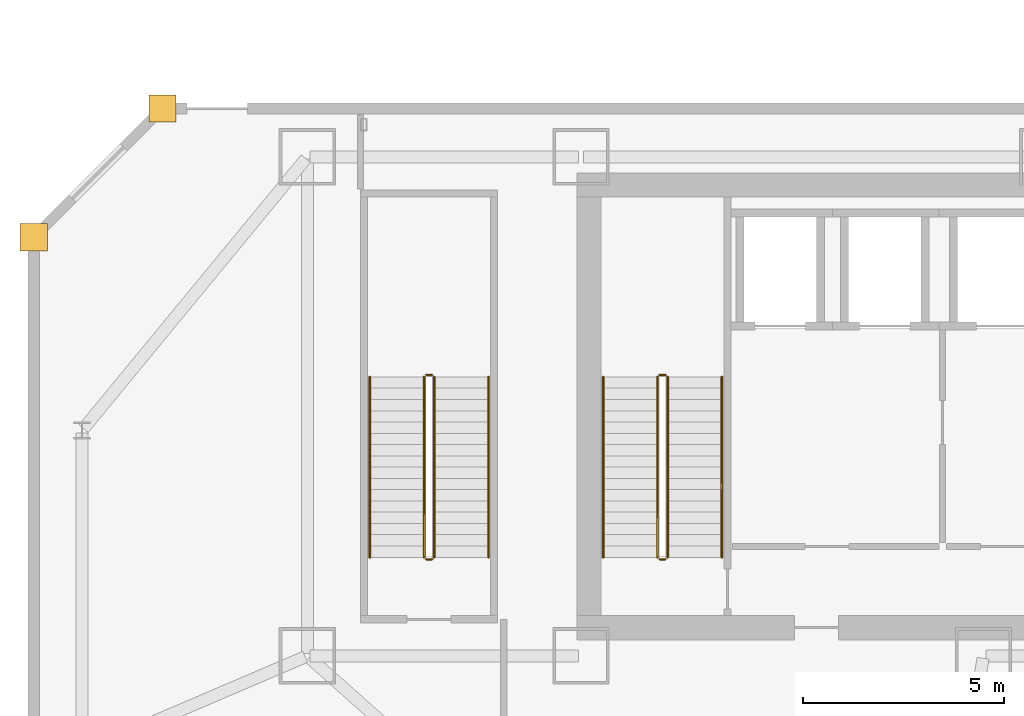
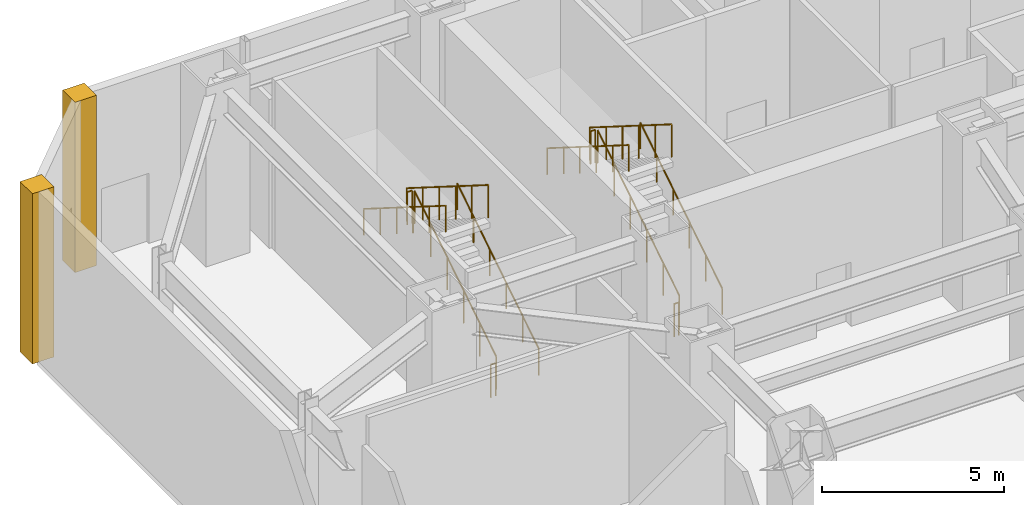
# One storey, part 18 of 23: 12 railings, 2 coverings.
"""IFC4 building model written with IfcOpenShell, lengths in metres."""

from ifc_helpers import new_model, si_unit, direction, frame, origin, origin_2d, place, context, subcontext, project, spatial, polyline, circle, outline, extrude, material, layer, layer_set, type_object, element, save


model = new_model("IFC4")

# Units and contexts
model_context = context("Model", 3, precision=1e-05, world=origin(), true_north=direction((0.0, 1.0)))
body_context = subcontext(model_context, "Body", "Model", "MODEL_VIEW")
ifc_project = project(units=[si_unit("LENGTHUNIT", "METRE"), si_unit("AREAUNIT", "SQUARE_METRE"), si_unit("VOLUMEUNIT", "CUBIC_METRE"), si_unit("PLANEANGLEUNIT", "RADIAN"), si_unit("MASSUNIT", "GRAM", prefix="KILO")], contexts=[model_context])

# Site, building, storey
site_placement = place(None, origin())
site = spatial("IfcSite", under=ifc_project, at=site_placement, CompositionType="ELEMENT")
building_placement = place(site_placement, origin())
building = spatial("IfcBuilding", under=site, at=building_placement, Name="Saevonmaru Cultural Tower", CompositionType="ELEMENT")
storey_placement = place(building_placement, origin())
storey = spatial("IfcBuildingStorey", under=building, at=storey_placement, Name="L00", CompositionType="ELEMENT", Elevation=0.0)

# Coverings
ifc_material_1 = material(Name="Satin Bronze Anodised Aluminium", Category="aluminium")
ifc_layer = layer(ifc_material_1, 0.679931640625, Name="Satin Bronze Anodised Aluminium")
ifc_layer_set = layer_set([ifc_layer], Name="Satin Bronze Anodised Aluminium")
covering_type = type_object("IfcCoveringType", Name="CV-CORNER-CLAD", PredefinedType="CLADDING", material=ifc_layer_set)
covering_1_placement = place(storey_placement, origin())
element("IfcCovering", 1, at=covering_1_placement, inside=storey, type_object=covering_type, Name="L00 Podium Bronze Corner Cladding Pier 7", PredefinedType="CLADDING", context=body_context, shape_type="SweptSolid", body=[
    extrude(outline(polyline([(2.860107421875, 55.659912109375), (3.5400390625, 55.659912109375), (3.5400390625, 56.340087890625), (2.860107421875, 56.340087890625), (2.860107421875, 55.659912109375)])), origin(), (0.0, 0.0, 1.0), 5.699951171875),
])
covering_2_placement = place(storey_placement, origin())
element("IfcCovering", 2, at=covering_2_placement, inside=storey, type_object=covering_type, Name="L00 Podium Bronze Corner Cladding Pier 8", PredefinedType="CLADDING", context=body_context, shape_type="SweptSolid", body=[
    extrude(outline(polyline([(-0.340087890625, 52.4599609375), (0.340087890625, 52.4599609375), (0.340087890625, 53.139892578125), (-0.340087890625, 53.139892578125), (-0.340087890625, 52.4599609375)])), origin(), (0.0, 0.0, 1.0), 5.699951171875),
])

# Railings
ifc_material_2 = material(Name="Architectural Painted Steel", Category="steel")
railing_type_1 = type_object("IfcRailingType", Name="RL-STAIR-GUARD", PredefinedType="GUARDRAIL", material=ifc_material_2)
railing_1_placement = place(storey_placement, frame((15.75, 44.85009765625, 0.176513671875)))
element("IfcRailing", 3, at=railing_1_placement, inside=storey, type_object=railing_type_1, Name="L00 ST-1 stair guard 1", PredefinedType="GUARDRAIL", context=body_context, shape_type="SweptSolid", body=[
    extrude(circle(Radius=0.02392578125, at=origin_2d()), frame((0.0, 0.0, 1.09619140625), z_axis=(0.0, 0.845997938375, 0.533186166611), x_axis=(-1.0, 0.0, 0.0)), (0.0, 0.0, 1.0), 5.29541015625),
    extrude(circle(Radius=0.02099609375, at=origin_2d()), origin(), (0.0, 0.0, 1.0), 1.072021484375),
    extrude(circle(Radius=0.02099609375, at=origin_2d()), frame((0.0, 0.89599609375, 0.564697265625)), (0.0, 0.0, 1.0), 1.072021484375),
    extrude(circle(Radius=0.02099609375, at=origin_2d()), frame((0.0, 1.7919921875, 1.12939453125)), (0.0, 0.0, 1.0), 1.072021484375),
    extrude(circle(Radius=0.02099609375, at=origin_2d()), frame((0.0, 2.68798828125, 1.694091796875)), (0.0, 0.0, 1.0), 1.072021484375),
    extrude(circle(Radius=0.02099609375, at=origin_2d()), frame((0.0, 3.583984375, 2.2587890625)), (0.0, 0.0, 1.0), 1.072021484375),
    extrude(circle(Radius=0.02099609375, at=origin_2d()), frame((0.0, 4.47998046875, 2.823486328125)), (0.0, 0.0, 1.0), 1.072021484375),
])
railing_2_placement = place(storey_placement, frame((15.699951171875, 49.3798828125, 3.0)))
element("IfcRailing", 4, at=railing_2_placement, inside=storey, type_object=railing_type_1, Name="L00 ST-1 stair guard 2", PredefinedType="GUARDRAIL", context=body_context, shape_type="SweptSolid", body=[
    extrude(circle(Radius=0.02392578125, at=origin_2d()), frame((0.0, 0.0, 1.09619140625), z_axis=(-1.0, 0.0, 0.0), x_axis=(0.0, -1.0, 0.0)), (0.0, 0.0, 1.0), 0.14990234375),
    extrude(circle(Radius=0.02099609375, at=origin_2d()), origin(), (0.0, 0.0, 1.0), 1.072021484375),
    extrude(circle(Radius=0.02099609375, at=origin_2d()), frame((-0.14990234375, 0.0, 0.0)), (0.0, 0.0, 1.0), 1.072021484375),
])
railing_3_placement = place(storey_placement, frame((15.5, 49.330078125, 3.176513671875)))
element("IfcRailing", 5, at=railing_3_placement, inside=storey, type_object=railing_type_1, Name="L00 ST-1 stair guard 3", PredefinedType="GUARDRAIL", context=body_context, shape_type="SweptSolid", body=[
    extrude(circle(Radius=0.02392578125, at=origin_2d()), frame((0.0, 0.0, 1.09619140625), z_axis=(0.0, -0.845997938375, 0.533186166611), x_axis=(1.0, 0.0, 0.0)), (0.0, 0.0, 1.0), 5.29541015625),
    extrude(circle(Radius=0.02099609375, at=origin_2d()), origin(), (0.0, 0.0, 1.0), 1.072021484375),
    extrude(circle(Radius=0.02099609375, at=origin_2d()), frame((0.0, -0.89599609375, 0.564697265625)), (0.0, 0.0, 1.0), 1.072021484375),
    extrude(circle(Radius=0.02099609375, at=origin_2d()), frame((0.0, -1.7919921875, 1.12939453125)), (0.0, 0.0, 1.0), 1.072021484375),
    extrude(circle(Radius=0.02099609375, at=origin_2d()), frame((0.0, -2.68798828125, 1.694091796875)), (0.0, 0.0, 1.0), 1.072021484375),
    extrude(circle(Radius=0.02099609375, at=origin_2d()), frame((0.0, -3.583984375, 2.2587890625)), (0.0, 0.0, 1.0), 1.072021484375),
    extrude(circle(Radius=0.02099609375, at=origin_2d()), frame((0.0, -4.47998046875, 2.823486328125)), (0.0, 0.0, 1.0), 1.072021484375),
])
railing_4_placement = place(storey_placement, frame((15.699951171875, 44.800048828125, 0.0)))
element("IfcRailing", 6, at=railing_4_placement, inside=storey, type_object=railing_type_1, Name="L00 ST-1 stair guard 4", PredefinedType="GUARDRAIL", context=body_context, shape_type="SweptSolid", body=[
    extrude(circle(Radius=0.02392578125, at=origin_2d()), frame((0.0, 0.0, 1.09619140625), z_axis=(-1.0, 0.0, 0.0), x_axis=(0.0, -1.0, 0.0)), (0.0, 0.0, 1.0), 0.14990234375),
    extrude(circle(Radius=0.02099609375, at=origin_2d()), origin(), (0.0, 0.0, 1.0), 1.072021484375),
    extrude(circle(Radius=0.02099609375, at=origin_2d()), frame((-0.14990234375, 0.0, 0.0)), (0.0, 0.0, 1.0), 1.072021484375),
])
railing_5_placement = place(storey_placement, frame((9.949951171875, 44.85009765625, 0.176513671875)))
element("IfcRailing", 7, at=railing_5_placement, inside=storey, type_object=railing_type_1, Name="L00 ST-3 stair guard 1", PredefinedType="GUARDRAIL", context=body_context, shape_type="SweptSolid", body=[
    extrude(circle(Radius=0.02392578125, at=origin_2d()), frame((0.0, 0.0, 1.09619140625), z_axis=(0.0, 0.845997938375, 0.533186166611), x_axis=(-1.0, 0.0, 0.0)), (0.0, 0.0, 1.0), 5.29541015625),
    extrude(circle(Radius=0.02099609375, at=origin_2d()), origin(), (0.0, 0.0, 1.0), 1.072021484375),
    extrude(circle(Radius=0.02099609375, at=origin_2d()), frame((0.0, 0.89599609375, 0.564697265625)), (0.0, 0.0, 1.0), 1.072021484375),
    extrude(circle(Radius=0.02099609375, at=origin_2d()), frame((0.0, 1.7919921875, 1.12939453125)), (0.0, 0.0, 1.0), 1.072021484375),
    extrude(circle(Radius=0.02099609375, at=origin_2d()), frame((0.0, 2.68798828125, 1.694091796875)), (0.0, 0.0, 1.0), 1.072021484375),
    extrude(circle(Radius=0.02099609375, at=origin_2d()), frame((0.0, 3.583984375, 2.2587890625)), (0.0, 0.0, 1.0), 1.072021484375),
    extrude(circle(Radius=0.02099609375, at=origin_2d()), frame((0.0, 4.47998046875, 2.823486328125)), (0.0, 0.0, 1.0), 1.072021484375),
])
railing_6_placement = place(storey_placement, frame((9.89990234375, 49.3798828125, 3.0)))
element("IfcRailing", 8, at=railing_6_placement, inside=storey, type_object=railing_type_1, Name="L00 ST-3 stair guard 2", PredefinedType="GUARDRAIL", context=body_context, shape_type="SweptSolid", body=[
    extrude(circle(Radius=0.02392578125, at=origin_2d()), frame((0.0, 0.0, 1.09619140625), z_axis=(-1.0, 0.0, 0.0), x_axis=(0.0, -1.0, 0.0)), (0.0, 0.0, 1.0), 0.14990234375),
    extrude(circle(Radius=0.02099609375, at=origin_2d()), origin(), (0.0, 0.0, 1.0), 1.072021484375),
    extrude(circle(Radius=0.02099609375, at=origin_2d()), frame((-0.14990234375, 0.0, 0.0)), (0.0, 0.0, 1.0), 1.072021484375),
])
railing_7_placement = place(storey_placement, frame((9.699951171875, 49.330078125, 3.176513671875)))
element("IfcRailing", 9, at=railing_7_placement, inside=storey, type_object=railing_type_1, Name="L00 ST-3 stair guard 3", PredefinedType="GUARDRAIL", context=body_context, shape_type="SweptSolid", body=[
    extrude(circle(Radius=0.02392578125, at=origin_2d()), frame((0.0, 0.0, 1.09619140625), z_axis=(0.0, -0.845997938375, 0.533186166611), x_axis=(1.0, 0.0, 0.0)), (0.0, 0.0, 1.0), 5.29541015625),
    extrude(circle(Radius=0.02099609375, at=origin_2d()), origin(), (0.0, 0.0, 1.0), 1.072021484375),
    extrude(circle(Radius=0.02099609375, at=origin_2d()), frame((0.0, -0.89599609375, 0.564697265625)), (0.0, 0.0, 1.0), 1.072021484375),
    extrude(circle(Radius=0.02099609375, at=origin_2d()), frame((0.0, -1.7919921875, 1.12939453125)), (0.0, 0.0, 1.0), 1.072021484375),
    extrude(circle(Radius=0.02099609375, at=origin_2d()), frame((0.0, -2.68798828125, 1.694091796875)), (0.0, 0.0, 1.0), 1.072021484375),
    extrude(circle(Radius=0.02099609375, at=origin_2d()), frame((0.0, -3.583984375, 2.2587890625)), (0.0, 0.0, 1.0), 1.072021484375),
    extrude(circle(Radius=0.02099609375, at=origin_2d()), frame((0.0, -4.47998046875, 2.823486328125)), (0.0, 0.0, 1.0), 1.072021484375),
])
railing_8_placement = place(storey_placement, frame((9.89990234375, 44.800048828125, 0.0)))
element("IfcRailing", 10, at=railing_8_placement, inside=storey, type_object=railing_type_1, Name="L00 ST-3 stair guard 4", PredefinedType="GUARDRAIL", context=body_context, shape_type="SweptSolid", body=[
    extrude(circle(Radius=0.02392578125, at=origin_2d()), frame((0.0, 0.0, 1.09619140625), z_axis=(-1.0, 0.0, 0.0), x_axis=(0.0, -1.0, 0.0)), (0.0, 0.0, 1.0), 0.14990234375),
    extrude(circle(Radius=0.02099609375, at=origin_2d()), origin(), (0.0, 0.0, 1.0), 1.072021484375),
    extrude(circle(Radius=0.02099609375, at=origin_2d()), frame((-0.14990234375, 0.0, 0.0)), (0.0, 0.0, 1.0), 1.072021484375),
])
railing_type_2 = type_object("IfcRailingType", Name="RL-STAIR-HANDRAIL", PredefinedType="HANDRAIL", material=ifc_material_1)
railing_9_placement = place(storey_placement, frame((17.10009765625, 44.85009765625, 0.176513671875)))
element("IfcRailing", 11, at=railing_9_placement, inside=storey, type_object=railing_type_2, Name="L00 ST-1 stair handrail 1", PredefinedType="HANDRAIL", context=body_context, shape_type="SweptSolid", body=[
    extrude(circle(Radius=0.02392578125, at=origin_2d()), frame((0.0, 0.0, 0.8759765625), z_axis=(0.0, 0.845997938375, 0.533186166611), x_axis=(-1.0, 0.0, 0.0)), (0.0, 0.0, 1.0), 5.29541015625),
    extrude(circle(Radius=0.02099609375, at=origin_2d()), origin(), (0.0, 0.0, 1.0), 0.851806640625),
    extrude(circle(Radius=0.02099609375, at=origin_2d()), frame((0.0, 0.89599609375, 0.564697265625)), (0.0, 0.0, 1.0), 0.851806640625),
    extrude(circle(Radius=0.02099609375, at=origin_2d()), frame((0.0, 1.7919921875, 1.12939453125)), (0.0, 0.0, 1.0), 0.851806640625),
    extrude(circle(Radius=0.02099609375, at=origin_2d()), frame((0.0, 2.68798828125, 1.694091796875)), (0.0, 0.0, 1.0), 0.851806640625),
    extrude(circle(Radius=0.02099609375, at=origin_2d()), frame((0.0, 3.583984375, 2.2587890625)), (0.0, 0.0, 1.0), 0.851806640625),
    extrude(circle(Radius=0.02099609375, at=origin_2d()), frame((0.0, 4.47998046875, 2.823486328125)), (0.0, 0.0, 1.0), 0.851806640625),
])
railing_10_placement = place(storey_placement, frame((14.14990234375, 49.330078125, 3.176513671875)))
element("IfcRailing", 12, at=railing_10_placement, inside=storey, type_object=railing_type_2, Name="L00 ST-1 stair handrail 2", PredefinedType="HANDRAIL", context=body_context, shape_type="SweptSolid", body=[
    extrude(circle(Radius=0.02392578125, at=origin_2d()), frame((0.0, 0.0, 0.8759765625), z_axis=(0.0, -0.845997938375, 0.533186166611), x_axis=(1.0, 0.0, 0.0)), (0.0, 0.0, 1.0), 5.29541015625),
    extrude(circle(Radius=0.02099609375, at=origin_2d()), origin(), (0.0, 0.0, 1.0), 0.851806640625),
    extrude(circle(Radius=0.02099609375, at=origin_2d()), frame((0.0, -0.89599609375, 0.564697265625)), (0.0, 0.0, 1.0), 0.851806640625),
    extrude(circle(Radius=0.02099609375, at=origin_2d()), frame((0.0, -1.7919921875, 1.12939453125)), (0.0, 0.0, 1.0), 0.851806640625),
    extrude(circle(Radius=0.02099609375, at=origin_2d()), frame((0.0, -2.68798828125, 1.694091796875)), (0.0, 0.0, 1.0), 0.851806640625),
    extrude(circle(Radius=0.02099609375, at=origin_2d()), frame((0.0, -3.583984375, 2.2587890625)), (0.0, 0.0, 1.0), 0.851806640625),
    extrude(circle(Radius=0.02099609375, at=origin_2d()), frame((0.0, -4.47998046875, 2.823486328125)), (0.0, 0.0, 1.0), 0.851806640625),
])
railing_11_placement = place(storey_placement, frame((11.300048828125, 44.85009765625, 0.176513671875)))
element("IfcRailing", 13, at=railing_11_placement, inside=storey, type_object=railing_type_2, Name="L00 ST-3 stair handrail 1", PredefinedType="HANDRAIL", context=body_context, shape_type="SweptSolid", body=[
    extrude(circle(Radius=0.02392578125, at=origin_2d()), frame((0.0, 0.0, 0.8759765625), z_axis=(0.0, 0.845997938375, 0.533186166611), x_axis=(-1.0, 0.0, 0.0)), (0.0, 0.0, 1.0), 5.29541015625),
    extrude(circle(Radius=0.02099609375, at=origin_2d()), origin(), (0.0, 0.0, 1.0), 0.851806640625),
    extrude(circle(Radius=0.02099609375, at=origin_2d()), frame((0.0, 0.89599609375, 0.564697265625)), (0.0, 0.0, 1.0), 0.851806640625),
    extrude(circle(Radius=0.02099609375, at=origin_2d()), frame((0.0, 1.7919921875, 1.12939453125)), (0.0, 0.0, 1.0), 0.851806640625),
    extrude(circle(Radius=0.02099609375, at=origin_2d()), frame((0.0, 2.68798828125, 1.694091796875)), (0.0, 0.0, 1.0), 0.851806640625),
    extrude(circle(Radius=0.02099609375, at=origin_2d()), frame((0.0, 3.583984375, 2.2587890625)), (0.0, 0.0, 1.0), 0.851806640625),
    extrude(circle(Radius=0.02099609375, at=origin_2d()), frame((0.0, 4.47998046875, 2.823486328125)), (0.0, 0.0, 1.0), 0.851806640625),
])
railing_12_placement = place(storey_placement, frame((8.35009765625, 49.330078125, 3.176513671875)))
element("IfcRailing", 14, at=railing_12_placement, inside=storey, type_object=railing_type_2, Name="L00 ST-3 stair handrail 2", PredefinedType="HANDRAIL", context=body_context, shape_type="SweptSolid", body=[
    extrude(circle(Radius=0.02392578125, at=origin_2d()), frame((0.0, 0.0, 0.8759765625), z_axis=(0.0, -0.845997938375, 0.533186166611), x_axis=(1.0, 0.0, 0.0)), (0.0, 0.0, 1.0), 5.29541015625),
    extrude(circle(Radius=0.02099609375, at=origin_2d()), origin(), (0.0, 0.0, 1.0), 0.851806640625),
    extrude(circle(Radius=0.02099609375, at=origin_2d()), frame((0.0, -0.89599609375, 0.564697265625)), (0.0, 0.0, 1.0), 0.851806640625),
    extrude(circle(Radius=0.02099609375, at=origin_2d()), frame((0.0, -1.7919921875, 1.12939453125)), (0.0, 0.0, 1.0), 0.851806640625),
    extrude(circle(Radius=0.02099609375, at=origin_2d()), frame((0.0, -2.68798828125, 1.694091796875)), (0.0, 0.0, 1.0), 0.851806640625),
    extrude(circle(Radius=0.02099609375, at=origin_2d()), frame((0.0, -3.583984375, 2.2587890625)), (0.0, 0.0, 1.0), 0.851806640625),
    extrude(circle(Radius=0.02099609375, at=origin_2d()), frame((0.0, -4.47998046875, 2.823486328125)), (0.0, 0.0, 1.0), 0.851806640625),
])

save(model, "model.ifc")
